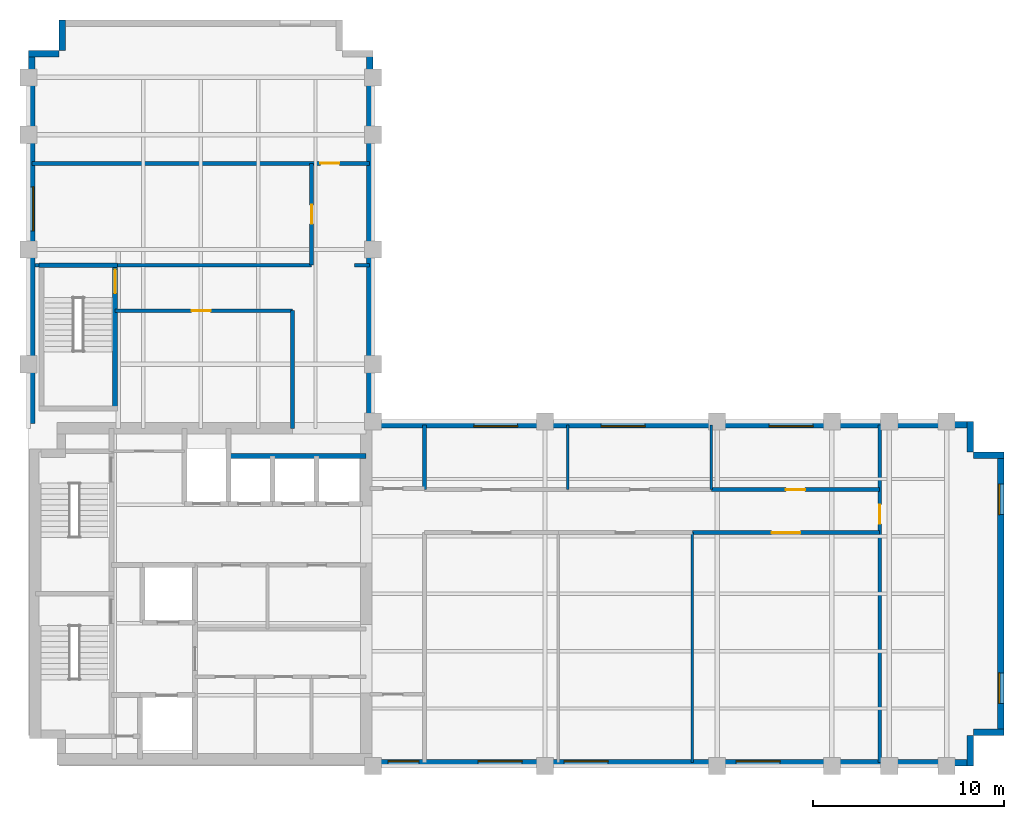
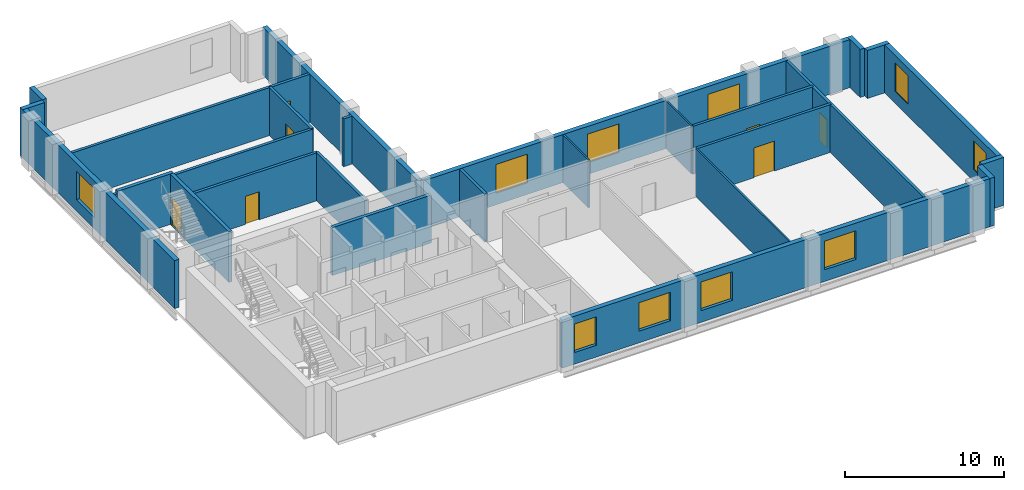
# One storey, part 4 of 6: 28 walls, 10 windows, 7 doors, 17 openings.
"""IFC4 building model written with IfcOpenShell, lengths in metres."""

from ifc_helpers import new_model, si_unit, direction, frame, frame_2d, origin, place, context, subcontext, project, spatial, rectangle, extrude, material, layer, layer_set, type_object, element, fill, save


model = new_model("IFC4")

# Units and contexts
model_context = context("Model", 3, precision=1e-05, world=origin(), true_north=direction((0.0, 1.0)))
body_context = subcontext(model_context, "Body", "Model", "MODEL_VIEW")
ifc_project = project(units=[si_unit("LENGTHUNIT", "METRE"), si_unit("AREAUNIT", "SQUARE_METRE"), si_unit("VOLUMEUNIT", "CUBIC_METRE"), si_unit("PLANEANGLEUNIT", "RADIAN"), si_unit("MASSUNIT", "GRAM", prefix="KILO")], contexts=[model_context])

# Site, building, storey
site_placement = place(None, origin())
site = spatial("IfcSite", under=ifc_project, at=site_placement, CompositionType="ELEMENT")
building_placement = place(site_placement, origin())
building = spatial("IfcBuilding", under=site, at=building_placement, Name="Mawjdan Bourse Tower", CompositionType="ELEMENT")
storey_placement = place(building_placement, frame((0.0, 0.0, 207.300048828125)))
storey = spatial("IfcBuildingStorey", under=building, at=storey_placement, Name="L50", CompositionType="ELEMENT", Elevation=207.300048828125)

# Wall, openings, windows
ifc_material_1 = material(Name="Brick Masonry Buff", Category="masonry")
ifc_layer_1 = layer(ifc_material_1, 0.340087890625)
ifc_layer_set_1 = layer_set([ifc_layer_1], Name="Brick Masonry Buff")
wall_type_1 = type_object("IfcWallType", Name="WL-BRK-SPN-340", PredefinedType="STANDARD", material=ifc_layer_set_1)
wall_1_placement = place(storey_placement, frame((23.89990234375, 3.169921875, 0.0), z_axis=(0.0, 0.0, 1.0), x_axis=(1.0, 0.0, 0.0)))
wall_1 = element("IfcWall", 1, at=wall_1_placement, inside=storey, type_object=wall_type_1, Name="L50 Exterior Brick Wall 1", PredefinedType="STANDARD", context=body_context, shape_type="SweptSolid", body=[
    extrude(rectangle(XDim=31.5, YDim=0.340087890625, at=frame_2d((15.75, 0.0))), origin(), (0.0, 0.0, 1.0), 3.699951171875),
])
opening_1_placement = place(wall_1_placement, frame((5.60009765625, 0.0, 0.89990234375)))
opening_1 = element("IfcOpeningElement", 2, at=opening_1_placement, cuts=wall_1, Name="Opening W-L50-01", PredefinedType="OPENING", context=body_context, shape_type="SweptSolid", body=[
    extrude(rectangle(XDim=2.300048828125, YDim=2.199951171875, at=frame_2d((1.14990234375, 1.10009765625))), frame((0.0, 0.18017578125, 0.0), z_axis=(0.0, -1.0, 0.0), x_axis=(1.0, 0.0, 0.0)), (0.0, 0.0, 1.0), 0.360107421875),
])
opening_2_placement = place(wall_1_placement, frame((10.10009765625, 0.0, 0.89990234375)))
opening_2 = element("IfcOpeningElement", 3, at=opening_2_placement, cuts=wall_1, Name="Opening W-L50-02", PredefinedType="OPENING", context=body_context, shape_type="SweptSolid", body=[
    extrude(rectangle(XDim=2.300048828125, YDim=2.199951171875, at=frame_2d((1.14990234375, 1.10009765625))), frame((0.0, 0.18017578125, 0.0), z_axis=(0.0, -1.0, 0.0), x_axis=(1.0, 0.0, 0.0)), (0.0, 0.0, 1.0), 0.360107421875),
])
opening_3_placement = place(wall_1_placement, frame((19.10009765625, 0.0, 0.89990234375)))
opening_3 = element("IfcOpeningElement", 4, at=opening_3_placement, cuts=wall_1, Name="Opening W-L50-03", PredefinedType="OPENING", context=body_context, shape_type="SweptSolid", body=[
    extrude(rectangle(XDim=2.300048828125, YDim=2.199951171875, at=frame_2d((1.14990234375, 1.10009765625))), frame((0.0, 0.18017578125, 0.0), z_axis=(0.0, -1.0, 0.0), x_axis=(1.0, 0.0, 0.0)), (0.0, 0.0, 1.0), 0.360107421875),
])
opening_4_placement = place(wall_1_placement, frame((0.89990234375, 0.0, 0.89990234375)))
opening_4 = element("IfcOpeningElement", 5, at=opening_4_placement, cuts=wall_1, Name="Opening W-L50-08", PredefinedType="OPENING", context=body_context, shape_type="SweptSolid", body=[
    extrude(rectangle(XDim=1.60009765625, YDim=2.199951171875, at=frame_2d((0.800048828125, 1.10009765625))), frame((0.0, 0.18017578125, 0.0), z_axis=(0.0, -1.0, 0.0), x_axis=(1.0, 0.0, 0.0)), (0.0, 0.0, 1.0), 0.360107421875),
])
ifc_material_2 = material(Name="Solar-Control Clear Double Glazing", Category="glass")
window_type_1 = type_object("IfcWindowType", Name="WN-Z3-1600", PartitioningType="SINGLE_PANEL", PredefinedType="WINDOW", material=ifc_material_2)
window_1_placement = place(opening_4_placement, origin())
window_1 = element("IfcWindow", 6, at=window_1_placement, inside=storey, type_object=window_type_1, Name="L50 Deep-Set Masonry Window W-L50-08", OverallHeight=2.199951171875, OverallWidth=1.60009765625, PartitioningType="SINGLE_PANEL", PredefinedType="WINDOW", context=body_context, shape_type="SweptSolid", body=[
    extrude(rectangle(XDim=1.60009765625, YDim=2.199951171875, at=frame_2d((0.800048828125, 1.10009765625))), frame((0.0, 0.110107421875, 0.0), z_axis=(0.0, -1.0, 0.0), x_axis=(1.0, 0.0, 0.0)), (0.0, 0.0, 1.0), 0.06005859375),
])
fill(opening_4, window_1)
window_type_2 = type_object("IfcWindowType", Name="WN-Z3-2300", PartitioningType="SINGLE_PANEL", PredefinedType="WINDOW", material=ifc_material_2)
window_2_placement = place(opening_1_placement, origin())
window_2 = element("IfcWindow", 7, at=window_2_placement, inside=storey, type_object=window_type_2, Name="L50 Deep-Set Masonry Window W-L50-01", OverallHeight=2.199951171875, OverallWidth=2.300048828125, PartitioningType="SINGLE_PANEL", PredefinedType="WINDOW", context=body_context, shape_type="SweptSolid", body=[
    extrude(rectangle(XDim=2.300048828125, YDim=2.199951171875, at=frame_2d((1.14990234375, 1.10009765625))), frame((0.0, 0.110107421875, 0.0), z_axis=(0.0, -1.0, 0.0), x_axis=(1.0, 0.0, 0.0)), (0.0, 0.0, 1.0), 0.06005859375),
])
fill(opening_1, window_2)
window_3_placement = place(opening_2_placement, origin())
window_3 = element("IfcWindow", 8, at=window_3_placement, inside=storey, type_object=window_type_2, Name="L50 Deep-Set Masonry Window W-L50-02", OverallHeight=2.199951171875, OverallWidth=2.300048828125, PartitioningType="SINGLE_PANEL", PredefinedType="WINDOW", context=body_context, shape_type="SweptSolid", body=[
    extrude(rectangle(XDim=2.300048828125, YDim=2.199951171875, at=frame_2d((1.14990234375, 1.10009765625))), frame((0.0, 0.110107421875, 0.0), z_axis=(0.0, -1.0, 0.0), x_axis=(1.0, 0.0, 0.0)), (0.0, 0.0, 1.0), 0.06005859375),
])
fill(opening_2, window_3)
window_4_placement = place(opening_3_placement, origin())
window_4 = element("IfcWindow", 9, at=window_4_placement, inside=storey, type_object=window_type_2, Name="L50 Deep-Set Masonry Window W-L50-03", OverallHeight=2.199951171875, OverallWidth=2.300048828125, PartitioningType="SINGLE_PANEL", PredefinedType="WINDOW", context=body_context, shape_type="SweptSolid", body=[
    extrude(rectangle(XDim=2.300048828125, YDim=2.199951171875, at=frame_2d((1.14990234375, 1.10009765625))), frame((0.0, 0.110107421875, 0.0), z_axis=(0.0, -1.0, 0.0), x_axis=(1.0, 0.0, 0.0)), (0.0, 0.0, 1.0), 0.06005859375),
])
fill(opening_3, window_4)

# Walls
for number, where, z_axis, x_axis, name in (
    (10, (55.22998046875, 3.0, 0.0), (0.0, 0.0, 1.0), (0.0, 1.0, 0.0), "L50 Exterior Brick Wall 2"),
    (11, (55.39990234375, 4.77001953125, 0.0), (0.0, 0.0, 1.0), (1.0, 0.0, 0.0), "L50 Exterior Brick Wall 3"),
):
    element("IfcWall", number, at=place(storey_placement, frame(where, z_axis=z_axis, x_axis=x_axis)), inside=storey, type_object=wall_type_1, Name=name, PredefinedType="STANDARD", context=body_context, shape_type="SweptSolid", body=[
        extrude(rectangle(XDim=1.60009765625, YDim=0.340087890625, at=frame_2d((0.800048828125, 0.0))), origin(), (0.0, 0.0, 1.0), 3.699951171875),
    ])

# Wall, openings, windows
wall_2_placement = place(storey_placement, frame((56.830078125, 4.60009765625, 0.0), z_axis=(0.0, 0.0, 1.0), x_axis=(0.0, 1.0, 0.0)))
wall_2 = element("IfcWall", 12, at=wall_2_placement, inside=storey, type_object=wall_type_1, Name="L50 Exterior Brick Wall 4", PredefinedType="STANDARD", context=body_context, shape_type="SweptSolid", body=[
    extrude(rectangle(XDim=14.7998046875, YDim=0.340087890625, at=frame_2d((7.39990234375, 0.0))), origin(), (0.0, 0.0, 1.0), 3.699951171875),
])
opening_5_placement = place(wall_2_placement, frame((1.666748046875, 0.0, 0.89990234375)))
opening_5 = element("IfcOpeningElement", 13, at=opening_5_placement, cuts=wall_2, Name="Opening W-L50-04", PredefinedType="OPENING", context=body_context, shape_type="SweptSolid", body=[
    extrude(rectangle(XDim=1.60009765625, YDim=2.199951171875, at=frame_2d((0.800048828125, 1.10009765625))), frame((0.0, 0.18017578125, 0.0), z_axis=(0.0, -1.0, 0.0), x_axis=(1.0, 0.0, 0.0)), (0.0, 0.0, 1.0), 0.360107421875),
])
opening_6_placement = place(wall_2_placement, frame((11.533203125, 0.0, 0.89990234375)))
opening_6 = element("IfcOpeningElement", 14, at=opening_6_placement, cuts=wall_2, Name="Opening W-L50-05", PredefinedType="OPENING", context=body_context, shape_type="SweptSolid", body=[
    extrude(rectangle(XDim=1.60009765625, YDim=2.199951171875, at=frame_2d((0.800048828125, 1.10009765625))), frame((0.0, 0.18017578125, 0.0), z_axis=(0.0, -1.0, 0.0), x_axis=(1.0, 0.0, 0.0)), (0.0, 0.0, 1.0), 0.360107421875),
])
window_5_placement = place(opening_5_placement, origin())
window_5 = element("IfcWindow", 15, at=window_5_placement, inside=storey, type_object=window_type_1, Name="L50 Deep-Set Masonry Window W-L50-04", OverallHeight=2.199951171875, OverallWidth=1.60009765625, PartitioningType="SINGLE_PANEL", PredefinedType="WINDOW", context=body_context, shape_type="SweptSolid", body=[
    extrude(rectangle(XDim=1.60009765625, YDim=2.199951171875, at=frame_2d((0.800048828125, 1.10009765625))), frame((0.0, 0.110107421875, 0.0), z_axis=(0.0, -1.0, 0.0), x_axis=(1.0, 0.0, 0.0)), (0.0, 0.0, 1.0), 0.06005859375),
])
fill(opening_5, window_5)
window_6_placement = place(opening_6_placement, origin())
window_6 = element("IfcWindow", 16, at=window_6_placement, inside=storey, type_object=window_type_1, Name="L50 Deep-Set Masonry Window W-L50-05", OverallHeight=2.199951171875, OverallWidth=1.60009765625, PartitioningType="SINGLE_PANEL", PredefinedType="WINDOW", context=body_context, shape_type="SweptSolid", body=[
    extrude(rectangle(XDim=1.60009765625, YDim=2.199951171875, at=frame_2d((0.800048828125, 1.10009765625))), frame((0.0, 0.110107421875, 0.0), z_axis=(0.0, -1.0, 0.0), x_axis=(1.0, 0.0, 0.0)), (0.0, 0.0, 1.0), 0.06005859375),
])
fill(opening_6, window_6)

# Walls
for number, where, z_axis, x_axis, name in (
    (17, (57.0, 19.22998046875, 0.0), (0.0, 0.0, 1.0), (-1.0, 0.0, 0.0), "L50 Exterior Brick Wall 5"),
    (18, (55.22998046875, 19.39990234375, 0.0), (0.0, 0.0, 1.0), (0.0, 1.0, 0.0), "L50 Exterior Brick Wall 6"),
):
    element("IfcWall", number, at=place(storey_placement, frame(where, z_axis=z_axis, x_axis=x_axis)), inside=storey, type_object=wall_type_1, Name=name, PredefinedType="STANDARD", context=body_context, shape_type="SweptSolid", body=[
        extrude(rectangle(XDim=1.60009765625, YDim=0.340087890625, at=frame_2d((0.800048828125, 0.0))), origin(), (0.0, 0.0, 1.0), 3.699951171875),
    ])

# Wall, openings, windows
wall_3_placement = place(storey_placement, frame((55.39990234375, 20.830078125, 0.0), z_axis=(0.0, 0.0, 1.0), x_axis=(-1.0, 0.0, 0.0)))
wall_3 = element("IfcWall", 19, at=wall_3_placement, inside=storey, type_object=wall_type_1, Name="L50 Exterior Brick Wall 7", PredefinedType="STANDARD", context=body_context, shape_type="SweptSolid", body=[
    extrude(rectangle(XDim=31.39990234375, YDim=0.340087890625, at=frame_2d((15.699951171875, 0.0))), origin(), (0.0, 0.0, 1.0), 3.699951171875),
])
opening_7_placement = place(wall_3_placement, frame((17.166748046875, 0.0, 0.89990234375)))
opening_7 = element("IfcOpeningElement", 20, at=opening_7_placement, cuts=wall_3, Name="Opening W-L50-06", PredefinedType="OPENING", context=body_context, shape_type="SweptSolid", body=[
    extrude(rectangle(XDim=2.300048828125, YDim=2.199951171875, at=frame_2d((1.14990234375, 1.10009765625))), frame((0.0, 0.18017578125, 0.0), z_axis=(0.0, -1.0, 0.0), x_axis=(1.0, 0.0, 0.0)), (0.0, 0.0, 1.0), 0.360107421875),
])
opening_8_placement = place(wall_3_placement, frame((23.82470703125, 0.0, 0.89990234375)))
opening_8 = element("IfcOpeningElement", 21, at=opening_8_placement, cuts=wall_3, Name="Opening W-L50-09", PredefinedType="OPENING", context=body_context, shape_type="SweptSolid", body=[
    extrude(rectangle(XDim=2.300048828125, YDim=2.199951171875, at=frame_2d((1.14990234375, 1.10009765625))), frame((0.0, 0.18017578125, 0.0), z_axis=(0.0, -1.0, 0.0), x_axis=(1.0, 0.0, 0.0)), (0.0, 0.0, 1.0), 0.360107421875),
])
opening_9_placement = place(wall_3_placement, frame((8.374755859375, 0.0, 0.89990234375)))
opening_9 = element("IfcOpeningElement", 22, at=opening_9_placement, cuts=wall_3, Name="Opening W-L50-10", PredefinedType="OPENING", context=body_context, shape_type="SweptSolid", body=[
    extrude(rectangle(XDim=2.300048828125, YDim=2.199951171875, at=frame_2d((1.14990234375, 1.10009765625))), frame((0.0, 0.18017578125, 0.0), z_axis=(0.0, -1.0, 0.0), x_axis=(1.0, 0.0, 0.0)), (0.0, 0.0, 1.0), 0.360107421875),
])
window_7_placement = place(opening_7_placement, origin())
window_7 = element("IfcWindow", 23, at=window_7_placement, inside=storey, type_object=window_type_2, Name="L50 Deep-Set Masonry Window W-L50-06", OverallHeight=2.199951171875, OverallWidth=2.300048828125, PartitioningType="SINGLE_PANEL", PredefinedType="WINDOW", context=body_context, shape_type="SweptSolid", body=[
    extrude(rectangle(XDim=2.300048828125, YDim=2.199951171875, at=frame_2d((1.14990234375, 1.10009765625))), frame((0.0, 0.110107421875, 0.0), z_axis=(0.0, -1.0, 0.0), x_axis=(1.0, 0.0, 0.0)), (0.0, 0.0, 1.0), 0.06005859375),
])
fill(opening_7, window_7)
window_8_placement = place(opening_8_placement, origin())
window_8 = element("IfcWindow", 24, at=window_8_placement, inside=storey, type_object=window_type_2, Name="L50 Deep-Set Masonry Window W-L50-09", OverallHeight=2.199951171875, OverallWidth=2.300048828125, PartitioningType="SINGLE_PANEL", PredefinedType="WINDOW", context=body_context, shape_type="SweptSolid", body=[
    extrude(rectangle(XDim=2.300048828125, YDim=2.199951171875, at=frame_2d((1.14990234375, 1.10009765625))), frame((0.0, 0.110107421875, 0.0), z_axis=(0.0, -1.0, 0.0), x_axis=(1.0, 0.0, 0.0)), (0.0, 0.0, 1.0), 0.06005859375),
])
fill(opening_8, window_8)
window_9_placement = place(opening_9_placement, origin())
window_9 = element("IfcWindow", 25, at=window_9_placement, inside=storey, type_object=window_type_2, Name="L50 Deep-Set Masonry Window W-L50-10", OverallHeight=2.199951171875, OverallWidth=2.300048828125, PartitioningType="SINGLE_PANEL", PredefinedType="WINDOW", context=body_context, shape_type="SweptSolid", body=[
    extrude(rectangle(XDim=2.300048828125, YDim=2.199951171875, at=frame_2d((1.14990234375, 1.10009765625))), frame((0.0, 0.110107421875, 0.0), z_axis=(0.0, -1.0, 0.0), x_axis=(1.0, 0.0, 0.0)), (0.0, 0.0, 1.0), 0.06005859375),
])
fill(opening_9, window_9)

# Walls
wall_4_placement = place(storey_placement, frame((23.830078125, 21.0, 0.0), z_axis=(0.0, 0.0, 1.0), x_axis=(0.0, 1.0, 0.0)))
element("IfcWall", 26, at=wall_4_placement, inside=storey, type_object=wall_type_1, Name="L50 Exterior Brick Wall 8", PredefinedType="STANDARD", context=body_context, shape_type="SweptSolid", body=[
    extrude(rectangle(XDim=19.39990234375, YDim=0.340087890625, at=frame_2d((9.699951171875, 0.0))), origin(), (0.0, 0.0, 1.0), 3.699951171875),
])
for number, where, z_axis, x_axis, name in (
    (27, (7.77001953125, 42.0, 0.0), (0.0, 0.0, 1.0), (0.0, -1.0, 0.0), "L50 Exterior Brick Wall 12"),
    (28, (7.60009765625, 40.22998046875, 0.0), (0.0, 0.0, 1.0), (-1.0, 0.0, 0.0), "L50 Exterior Brick Wall 13"),
):
    element("IfcWall", number, at=place(storey_placement, frame(where, z_axis=z_axis, x_axis=x_axis)), inside=storey, type_object=wall_type_1, Name=name, PredefinedType="STANDARD", context=body_context, shape_type="SweptSolid", body=[
        extrude(rectangle(XDim=1.60009765625, YDim=0.340087890625, at=frame_2d((0.800048828125, 0.0))), origin(), (0.0, 0.0, 1.0), 3.699951171875),
    ])

# Wall, opening, window
wall_5_placement = place(storey_placement, frame((6.169921875, 40.39990234375, 0.0), z_axis=(0.0, 0.0, 1.0), x_axis=(0.0, -1.0, 0.0)))
wall_5 = element("IfcWall", 29, at=wall_5_placement, inside=storey, type_object=wall_type_1, Name="L50 Exterior Brick Wall 14", PredefinedType="STANDARD", context=body_context, shape_type="SweptSolid", body=[
    extrude(rectangle(XDim=19.5, YDim=0.340087890625, at=frame_2d((9.75, 0.0))), origin(), (0.0, 0.0, 1.0), 3.699951171875),
])
opening_10_placement = place(wall_5_placement, frame((7.124755859375, 0.0, 0.89990234375)))
opening_10 = element("IfcOpeningElement", 30, at=opening_10_placement, cuts=wall_5, Name="Opening W-L50-11", PredefinedType="OPENING", context=body_context, shape_type="SweptSolid", body=[
    extrude(rectangle(XDim=2.300048828125, YDim=2.199951171875, at=frame_2d((1.14990234375, 1.10009765625))), frame((0.0, 0.18017578125, 0.0), z_axis=(0.0, -1.0, 0.0), x_axis=(1.0, 0.0, 0.0)), (0.0, 0.0, 1.0), 0.360107421875),
])
window_10_placement = place(opening_10_placement, origin())
window_10 = element("IfcWindow", 31, at=window_10_placement, inside=storey, type_object=window_type_2, Name="L50 Deep-Set Masonry Window W-L50-11", OverallHeight=2.199951171875, OverallWidth=2.300048828125, PartitioningType="SINGLE_PANEL", PredefinedType="WINDOW", context=body_context, shape_type="SweptSolid", body=[
    extrude(rectangle(XDim=2.300048828125, YDim=2.199951171875, at=frame_2d((1.14990234375, 1.10009765625))), frame((0.0, 0.110107421875, 0.0), z_axis=(0.0, -1.0, 0.0), x_axis=(1.0, 0.0, 0.0)), (0.0, 0.0, 1.0), 0.06005859375),
])
fill(opening_10, window_10)

# Wall
ifc_material_3 = material(Name="Gypsum Fireboard Assembly")
ifc_layer_2 = layer(ifc_material_3, 0.199951171875)
ifc_layer_set_2 = layer_set([ifc_layer_2], Name="Gypsum Fireboard Assembly")
wall_type_2 = type_object("IfcWallType", Name="WL-CMP-200", PredefinedType="PARTITIONING", material=ifc_layer_set_2)
wall_6_placement = place(storey_placement, frame((26.699951171875, 17.449951171875, 0.0), z_axis=(0.0, 0.0, 1.0), x_axis=(0.0, 1.0, 0.0)))
element("IfcWall", 32, at=wall_6_placement, inside=storey, type_object=wall_type_2, Name="L50 Vestibule North East Wall", PredefinedType="PARTITIONING", context=body_context, shape_type="SweptSolid", body=[
    extrude(rectangle(XDim=3.3701171875, YDim=0.199951171875, at=frame_2d((1.68505859375, 0.0))), origin(), (0.0, 0.0, 1.0), 3.68994140625),
])

# Wall, opening, door
wall_7_placement = place(storey_placement, frame((40.699951171875, 15.199951171875, 0.0), z_axis=(0.0, 0.0, 1.0), x_axis=(1.0, 0.0, 0.0)))
wall_7 = element("IfcWall", 33, at=wall_7_placement, inside=storey, type_object=wall_type_2, Name="L50 Conference Room Corridor Wall", PredefinedType="PARTITIONING", context=body_context, shape_type="SweptSolid", body=[
    extrude(rectangle(XDim=9.800048828125, YDim=0.199951171875, at=frame_2d((4.89990234375, 0.0))), origin(), (0.0, 0.0, 1.0), 3.68994140625),
])
opening_11_placement = place(wall_7_placement, frame((4.14990234375, 0.0, 0.0)))
opening_11 = element("IfcOpeningElement", 34, at=opening_11_placement, cuts=wall_7, Name="Opening D-L50-24", PredefinedType="OPENING", context=body_context, shape_type="SweptSolid", body=[
    extrude(rectangle(XDim=1.5, YDim=2.300048828125, at=frame_2d((0.75, 1.14990234375))), frame((0.0, 0.10986328125, 0.0), z_axis=(0.0, -1.0, 0.0), x_axis=(1.0, 0.0, 0.0)), (0.0, 0.0, 1.0), 0.219970703125),
])
ifc_material_4 = material(Name="Acoustic Glazed Timber", Category="wood")
door_type_1 = type_object("IfcDoorType", Name="DR-CNF-1500", OperationType="DOUBLE_DOOR_SINGLE_SWING", PredefinedType="DOOR", material=ifc_material_4)
door_1_placement = place(opening_11_placement, origin())
door_1 = element("IfcDoor", 35, at=door_1_placement, inside=storey, type_object=door_type_1, Name="L50 Conference Room Door D-L50-24", OperationType="DOUBLE_DOOR_SINGLE_SWING", OverallHeight=2.300048828125, OverallWidth=1.5, PredefinedType="DOOR", context=body_context, shape_type="SweptSolid", body=[
    extrude(rectangle(XDim=1.5, YDim=2.300048828125, at=frame_2d((0.75, 1.14990234375))), frame((0.0, 0.02490234375, 0.0), z_axis=(0.0, -1.0, 0.0), x_axis=(1.0, 0.0, 0.0)), (0.0, 0.0, 1.0), 0.050048828125),
])
fill(opening_11, door_1)

wall_8_placement = place(storey_placement, frame((41.699951171875, 17.449951171875, 0.0), z_axis=(0.0, 0.0, 1.0), x_axis=(1.0, 0.0, 0.0)))
wall_8 = element("IfcWall", 36, at=wall_8_placement, inside=storey, type_object=wall_type_2, Name="L50 Document Store Corridor Wall", PredefinedType="PARTITIONING", context=body_context, shape_type="SweptSolid", body=[
    extrude(rectangle(XDim=8.800048828125, YDim=0.199951171875, at=frame_2d((4.39990234375, 0.0))), origin(), (0.0, 0.0, 1.0), 3.68994140625),
])
opening_12_placement = place(wall_8_placement, frame((3.89990234375, 0.0, 0.0)))
opening_12 = element("IfcOpeningElement", 37, at=opening_12_placement, cuts=wall_8, Name="Opening D-L50-27", PredefinedType="OPENING", context=body_context, shape_type="SweptSolid", body=[
    extrude(rectangle(XDim=1.0, YDim=2.14990234375, at=frame_2d((0.5, 1.074951171875))), frame((0.0, 0.10986328125, 0.0), z_axis=(0.0, -1.0, 0.0), x_axis=(1.0, 0.0, 0.0)), (0.0, 0.0, 1.0), 0.219970703125),
])
ifc_material_5 = material(Name="Hardwood Acoustic Leaf", Category="wood")
door_type_2 = type_object("IfcDoorType", Name="DR-OFC-1000", OperationType="NOTDEFINED", PredefinedType="DOOR", material=ifc_material_5)
door_2_placement = place(opening_12_placement, origin())
door_2 = element("IfcDoor", 38, at=door_2_placement, inside=storey, type_object=door_type_2, Name="L50 Document Store Door D-L50-27", OperationType="SINGLE_SWING_RIGHT", OverallHeight=2.14990234375, OverallWidth=1.0, PredefinedType="DOOR", context=body_context, shape_type="SweptSolid", body=[
    extrude(rectangle(XDim=1.0, YDim=2.14990234375, at=frame_2d((0.5, 1.074951171875))), frame((0.0, 0.02490234375, 0.0), z_axis=(0.0, -1.0, 0.0), x_axis=(1.0, 0.0, 0.0)), (0.0, 0.0, 1.0), 0.050048828125),
])
fill(opening_12, door_2)

wall_9_placement = place(storey_placement, frame((50.5, 3.179931640625, 0.0), z_axis=(0.0, 0.0, 1.0), x_axis=(0.0, 1.0, 0.0)))
wall_9 = element("IfcWall", 39, at=wall_9_placement, inside=storey, type_object=wall_type_2, Name="L50 East Tip Full Cross Wall", PredefinedType="PARTITIONING", context=body_context, shape_type="SweptSolid", body=[
    extrude(rectangle(XDim=17.64013671875, YDim=0.199951171875, at=frame_2d((8.820068359375, 0.0))), origin(), (0.0, 0.0, 1.0), 3.68994140625),
])
opening_13_placement = place(wall_9_placement, frame((12.47509765625, 0.0, 0.0)))
opening_13 = element("IfcOpeningElement", 40, at=opening_13_placement, cuts=wall_9, Name="Opening D-L50-28", PredefinedType="OPENING", context=body_context, shape_type="SweptSolid", body=[
    extrude(rectangle(XDim=1.0, YDim=2.14990234375, at=frame_2d((0.5, 1.074951171875))), frame((0.0, 0.10986328125, 0.0), z_axis=(0.0, -1.0, 0.0), x_axis=(1.0, 0.0, 0.0)), (0.0, 0.0, 1.0), 0.219970703125),
])
door_3_placement = place(opening_13_placement, origin())
door_3 = element("IfcDoor", 41, at=door_3_placement, inside=storey, type_object=door_type_2, Name="L50 East Tip Hall Door D-L50-28", OperationType="SINGLE_SWING_LEFT", OverallHeight=2.14990234375, OverallWidth=1.0, PredefinedType="DOOR", context=body_context, shape_type="SweptSolid", body=[
    extrude(rectangle(XDim=1.0, YDim=2.14990234375, at=frame_2d((0.5, 1.074951171875))), frame((0.0, 0.02490234375, 0.0), z_axis=(0.0, -1.0, 0.0), x_axis=(1.0, 0.0, 0.0)), (0.0, 0.0, 1.0), 0.050048828125),
])
fill(opening_13, door_3)

wall_10_placement = place(storey_placement, frame((10.52001953125, 26.800048828125, 0.0), z_axis=(0.0, 0.0, 1.0), x_axis=(1.0, 0.0, 0.0)))
wall_10 = element("IfcWall", 42, at=wall_10_placement, inside=storey, type_object=wall_type_2, Name="L50 North Throat North Wall", PredefinedType="PARTITIONING", context=body_context, shape_type="SweptSolid", body=[
    extrude(rectangle(XDim=9.280029296875, YDim=0.199951171875, at=frame_2d((4.64013671875, 0.0))), origin(), (0.0, 0.0, 1.0), 3.68994140625),
])
opening_14_placement = place(wall_10_placement, frame((4.0, 0.0, 0.0)))
opening_14 = element("IfcOpeningElement", 43, at=opening_14_placement, cuts=wall_10, Name="Opening D-L50-29", PredefinedType="OPENING", context=body_context, shape_type="SweptSolid", body=[
    extrude(rectangle(XDim=1.0, YDim=2.14990234375, at=frame_2d((0.5, 1.074951171875))), frame((0.0, 0.10986328125, 0.0), z_axis=(0.0, -1.0, 0.0), x_axis=(1.0, 0.0, 0.0)), (0.0, 0.0, 1.0), 0.219970703125),
])
door_4_placement = place(opening_14_placement, origin())
door_4 = element("IfcDoor", 44, at=door_4_placement, inside=storey, type_object=door_type_2, Name="L50 North Throat Suite Door D-L50-29", OperationType="SINGLE_SWING_RIGHT", OverallHeight=2.14990234375, OverallWidth=1.0, PredefinedType="DOOR", context=body_context, shape_type="SweptSolid", body=[
    extrude(rectangle(XDim=1.0, YDim=2.14990234375, at=frame_2d((0.5, 1.074951171875))), frame((0.0, 0.02490234375, 0.0), z_axis=(0.0, -1.0, 0.0), x_axis=(1.0, 0.0, 0.0)), (0.0, 0.0, 1.0), 0.050048828125),
])
fill(opening_14, door_4)

# Walls
wall_11_placement = place(storey_placement, frame((19.800048828125, 20.64990234375, 0.0), z_axis=(0.0, 0.0, 1.0), x_axis=(0.0, 1.0, 0.0)))
element("IfcWall", 45, at=wall_11_placement, inside=storey, type_object=wall_type_2, Name="L50 North Throat East Wall", PredefinedType="PARTITIONING", context=body_context, shape_type="SweptSolid", body=[
    extrude(rectangle(XDim=6.150146484375, YDim=0.199951171875, at=frame_2d((3.0751953125, 0.0))), origin(), (0.0, 0.0, 1.0), 3.68994140625),
])
wall_12_placement = place(storey_placement, frame((6.340087890625, 29.179931640625, 0.0), z_axis=(0.0, 0.0, 1.0), x_axis=(1.0, 0.0, 0.0)))
element("IfcWall", 46, at=wall_12_placement, inside=storey, type_object=wall_type_2, Name="L50 North West Band ST3 West Return", PredefinedType="PARTITIONING", context=body_context, shape_type="SweptSolid", body=[
    extrude(rectangle(XDim=0.21484375, YDim=0.199951171875, at=frame_2d((0.107421875, 0.0))), origin(), (0.0, 0.0, 1.0), 3.68994140625),
])
wall_13_placement = place(storey_placement, frame((10.6298828125, 29.179931640625, 0.0), z_axis=(0.0, 0.0, 1.0), x_axis=(1.0, 0.0, 0.0)))
element("IfcWall", 47, at=wall_13_placement, inside=storey, type_object=wall_type_2, Name="L50 North West Band South Wall", PredefinedType="PARTITIONING", context=body_context, shape_type="SweptSolid", body=[
    extrude(rectangle(XDim=10.170166015625, YDim=0.199951171875, at=frame_2d((5.0849609375, 0.0))), origin(), (0.0, 0.0, 1.0), 3.68994140625),
])
wall_14_placement = place(storey_placement, frame((23.050048828125, 29.179931640625, 0.0), z_axis=(0.0, 0.0, 1.0), x_axis=(1.0, 0.0, 0.0)))
element("IfcWall", 48, at=wall_14_placement, inside=storey, type_object=wall_type_2, Name="L50 North East Band South Wall", PredefinedType="PARTITIONING", context=body_context, shape_type="SweptSolid", body=[
    extrude(rectangle(XDim=0.77001953125, YDim=0.199951171875, at=frame_2d((0.385009765625, 0.0))), origin(), (0.0, 0.0, 1.0), 3.68994140625),
])

# Wall, opening, door
wall_15_placement = place(storey_placement, frame((20.800048828125, 29.179931640625, 0.0), z_axis=(0.0, 0.0, 1.0), x_axis=(0.0, 1.0, 0.0)))
wall_15 = element("IfcWall", 49, at=wall_15_placement, inside=storey, type_object=wall_type_2, Name="L50 Executive Office Corridor Wall", PredefinedType="PARTITIONING", context=body_context, shape_type="SweptSolid", body=[
    extrude(rectangle(XDim=5.320068359375, YDim=0.199951171875, at=frame_2d((2.66015625, 0.0))), origin(), (0.0, 0.0, 1.0), 3.68994140625),
])
opening_15_placement = place(wall_15_placement, frame((2.159912109375, 0.0, 0.0)))
opening_15 = element("IfcOpeningElement", 50, at=opening_15_placement, cuts=wall_15, Name="Opening D-L50-30", PredefinedType="OPENING", context=body_context, shape_type="SweptSolid", body=[
    extrude(rectangle(XDim=1.0, YDim=2.14990234375, at=frame_2d((0.5, 1.074951171875))), frame((0.0, 0.10986328125, 0.0), z_axis=(0.0, -1.0, 0.0), x_axis=(1.0, 0.0, 0.0)), (0.0, 0.0, 1.0), 0.219970703125),
])
door_5_placement = place(opening_15_placement, origin())
door_5 = element("IfcDoor", 51, at=door_5_placement, inside=storey, type_object=door_type_2, Name="L50 Executive Office Door D-L50-30", OperationType="SINGLE_SWING_LEFT", OverallHeight=2.14990234375, OverallWidth=1.0, PredefinedType="DOOR", context=body_context, shape_type="SweptSolid", body=[
    extrude(rectangle(XDim=1.0, YDim=2.14990234375, at=frame_2d((0.5, 1.074951171875))), frame((0.0, 0.02490234375, 0.0), z_axis=(0.0, -1.0, 0.0), x_axis=(1.0, 0.0, 0.0)), (0.0, 0.0, 1.0), 0.050048828125),
])
fill(opening_15, door_5)

wall_16_placement = place(storey_placement, frame((6.179931640625, 34.5, 0.0), z_axis=(0.0, 0.0, 1.0), x_axis=(1.0, 0.0, 0.0)))
wall_16 = element("IfcWall", 52, at=wall_16_placement, inside=storey, type_object=wall_type_2, Name="L50 North Tip Full Cross Wall", PredefinedType="PARTITIONING", context=body_context, shape_type="SweptSolid", body=[
    extrude(rectangle(XDim=17.64013671875, YDim=0.199951171875, at=frame_2d((8.820068359375, 0.0))), origin(), (0.0, 0.0, 1.0), 3.68994140625),
])
opening_16_placement = place(wall_16_placement, frame((15.074951171875, 0.0, 0.0)))
opening_16 = element("IfcOpeningElement", 53, at=opening_16_placement, cuts=wall_16, Name="Opening D-L50-31", PredefinedType="OPENING", context=body_context, shape_type="SweptSolid", body=[
    extrude(rectangle(XDim=1.0, YDim=2.14990234375, at=frame_2d((0.5, 1.074951171875))), frame((0.0, 0.10986328125, 0.0), z_axis=(0.0, -1.0, 0.0), x_axis=(1.0, 0.0, 0.0)), (0.0, 0.0, 1.0), 0.219970703125),
])
door_6_placement = place(opening_16_placement, origin())
door_6 = element("IfcDoor", 54, at=door_6_placement, inside=storey, type_object=door_type_2, Name="L50 North Tip Suite Door D-L50-31", OperationType="SINGLE_SWING_RIGHT", OverallHeight=2.14990234375, OverallWidth=1.0, PredefinedType="DOOR", context=body_context, shape_type="SweptSolid", body=[
    extrude(rectangle(XDim=1.0, YDim=2.14990234375, at=frame_2d((0.5, 1.074951171875))), frame((0.0, 0.02490234375, 0.0), z_axis=(0.0, -1.0, 0.0), x_axis=(1.0, 0.0, 0.0)), (0.0, 0.0, 1.0), 0.050048828125),
])
fill(opening_16, door_6)

# Walls
ifc_material_6 = material(Name="Gypsum Partition")
ifc_layer_3 = layer(ifc_material_6, 0.125)
ifc_layer_set_3 = layer_set([ifc_layer_3], Name="Gypsum Partition")
wall_type_3 = type_object("IfcWallType", Name="WL-PRT-125", PredefinedType="PARTITIONING", material=ifc_layer_set_3)
wall_17_placement = place(storey_placement, frame((40.699951171875, 3.179931640625, 0.0), z_axis=(0.0, 0.0, 1.0), x_axis=(0.0, 1.0, 0.0)))
element("IfcWall", 55, at=wall_17_placement, inside=storey, type_object=wall_type_3, Name="L50 Conference Room Partition", PredefinedType="PARTITIONING", context=body_context, shape_type="SweptSolid", body=[
    extrude(rectangle(XDim=12.02001953125, YDim=0.125, at=frame_2d((6.010009765625, 0.0))), origin(), (0.0, 0.0, 1.0), 3.68994140625),
])
for number, where, z_axis, x_axis, name in (
    (56, (34.199951171875, 17.449951171875, 0.0), (0.0, 0.0, 1.0), (0.0, 1.0, 0.0), "L50 ESG Research Library Partition"),
    (57, (41.699951171875, 17.449951171875, 0.0), (0.0, 0.0, 1.0), (0.0, 1.0, 0.0), "L50 Document Store Partition"),
):
    element("IfcWall", number, at=place(storey_placement, frame(where, z_axis=z_axis, x_axis=x_axis)), inside=storey, type_object=wall_type_3, Name=name, PredefinedType="PARTITIONING", context=body_context, shape_type="SweptSolid", body=[
        extrude(rectangle(XDim=3.3701171875, YDim=0.125, at=frame_2d((1.68505859375, 0.0))), origin(), (0.0, 0.0, 1.0), 3.68994140625),
    ])
ifc_material_7 = material(Name="Concrete C50/60", Category="concrete")
ifc_layer_4 = layer(ifc_material_7, 0.25)
ifc_layer_set_4 = layer_set([ifc_layer_4], Name="Concrete C50/60")
wall_type_4 = type_object("IfcWallType", Name="WL-SHFT-250", PredefinedType="PARTITIONING", material=ifc_layer_set_4)
wall_18_placement = place(storey_placement, frame((16.449951171875, 19.199951171875, 0.0), z_axis=(0.0, 0.0, 1.0), x_axis=(1.0, 0.0, 0.0)))
element("IfcWall", 58, at=wall_18_placement, inside=storey, type_object=wall_type_4, Name="L50 PH Bank North Shaft Back Wall", PredefinedType="PARTITIONING", context=body_context, shape_type="SweptSolid", body=[
    extrude(rectangle(XDim=7.199951171875, YDim=0.25, at=frame_2d((3.60009765625, 0.0))), origin(), (0.0, 0.0, 1.0), 3.68994140625),
])
ifc_layer_5 = layer(ifc_material_7, 0.25)
ifc_layer_set_5 = layer_set([ifc_layer_5], Name="Concrete C50/60")
wall_type_5 = type_object("IfcWallType", Name="WL-STRW-250", PredefinedType="SHEAR", material=ifc_layer_set_5)
wall_19_placement = place(storey_placement, frame((6.554931640625, 29.179931640625, 0.0), z_axis=(0.0, 0.0, 1.0), x_axis=(1.0, 0.0, 0.0)))
element("IfcWall", 59, at=wall_19_placement, inside=storey, type_object=wall_type_5, Name="L50 ST3 North Shaft Wall", PredefinedType="SHEAR", context=body_context, shape_type="SweptSolid", body=[
    extrude(rectangle(XDim=4.090087890625, YDim=0.25, at=frame_2d((2.044921875, 0.0))), origin(), (0.0, 0.0, 1.0), 3.89990234375),
])

# Wall, opening, door
wall_20_placement = place(storey_placement, frame((10.52001953125, 21.679931640625, 0.0), z_axis=(0.0, 0.0, 1.0), x_axis=(0.0, 1.0, 0.0)))
wall_20 = element("IfcWall", 60, at=wall_20_placement, inside=storey, type_object=wall_type_5, Name="L50 ST3 East Shaft Wall", PredefinedType="SHEAR", context=body_context, shape_type="SweptSolid", body=[
    extrude(rectangle(XDim=7.5, YDim=0.25, at=frame_2d((3.75, 0.0))), origin(), (0.0, 0.0, 1.0), 3.89990234375),
])
opening_17_placement = place(wall_20_placement, frame((6.02001953125, 0.0, 0.0)))
opening_17 = element("IfcOpeningElement", 61, at=opening_17_placement, cuts=wall_20, Name="Opening SD-L50-19", PredefinedType="OPENING", context=body_context, shape_type="SweptSolid", body=[
    extrude(rectangle(XDim=1.25, YDim=2.199951171875, at=frame_2d((0.625, 1.10009765625))), frame((0.0, 0.135009765625, 0.0), z_axis=(0.0, -1.0, 0.0), x_axis=(1.0, 0.0, 0.0)), (0.0, 0.0, 1.0), 0.27001953125),
])
ifc_material_8 = material(Name="Fire-Rated Steel Leaf", Category="steel")
door_type_3 = type_object("IfcDoorType", Name="FD-ST-1250", OperationType="NOTDEFINED", PredefinedType="DOOR", material=ifc_material_8)
door_7_placement = place(opening_17_placement, origin())
door_7 = element("IfcDoor", 62, at=door_7_placement, inside=storey, type_object=door_type_3, Name="L50 Stair ST3 Fire Door SD-L50-19", OperationType="SINGLE_SWING_LEFT", OverallHeight=2.199951171875, OverallWidth=1.25, PredefinedType="DOOR", context=body_context, shape_type="SweptSolid", body=[
    extrude(rectangle(XDim=1.25, YDim=2.199951171875, at=frame_2d((0.625, 1.10009765625))), frame((0.0, 0.02490234375, 0.0), z_axis=(0.0, -1.0, 0.0), x_axis=(1.0, 0.0, 0.0)), (0.0, 0.0, 1.0), 0.050048828125),
])
fill(opening_17, door_7)

save(model, "model.ifc")
